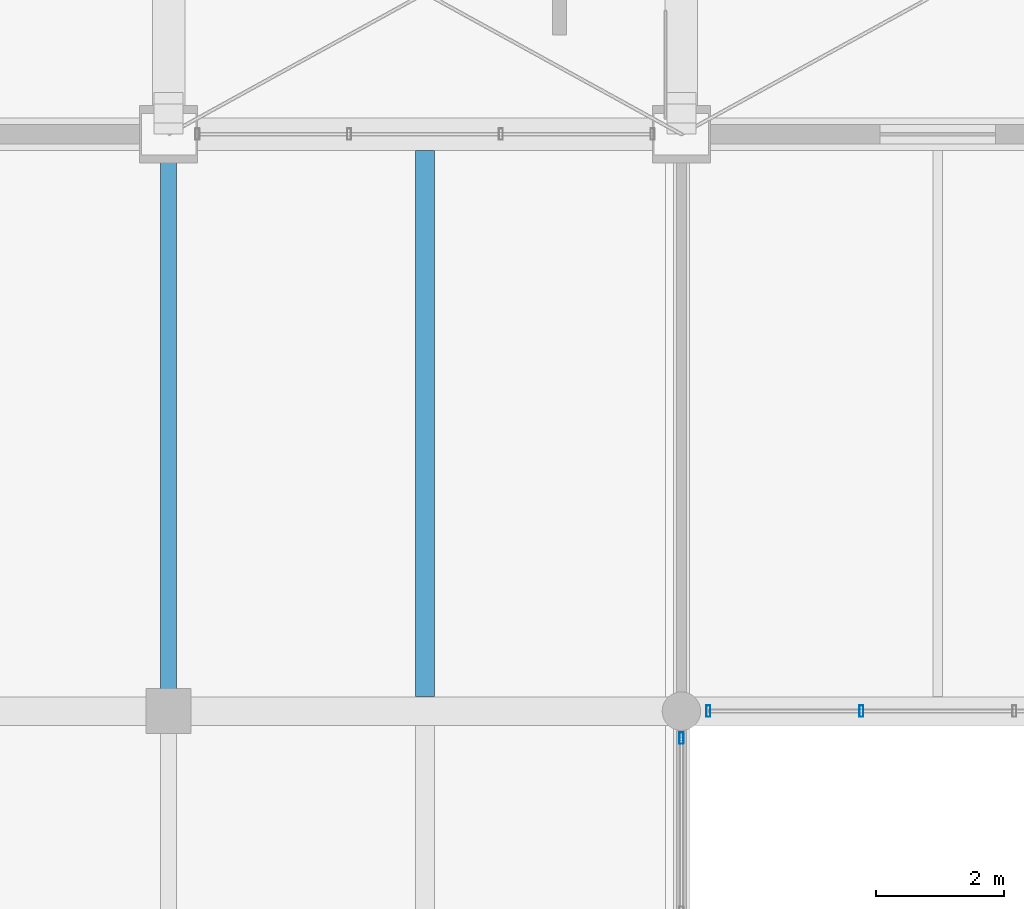
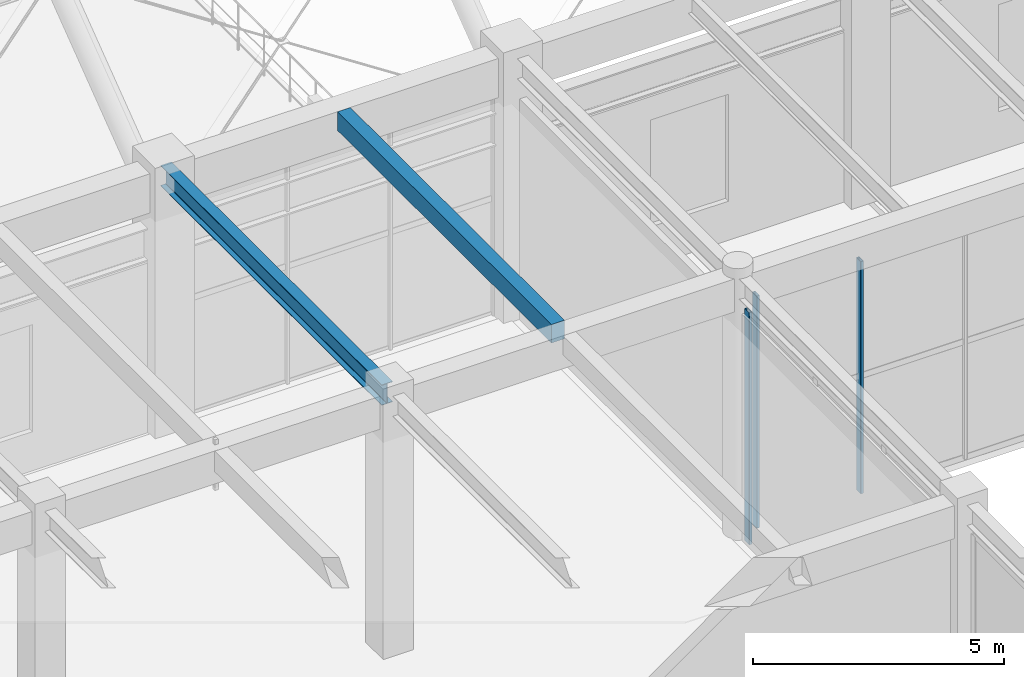
# One storey, part 35 of 163: 3 members, 2 beams, 2 elements without a shape of their own.
"""IFC4 building model written with IfcOpenShell, lengths in metres."""

from ifc_helpers import new_model, si_unit, direction, frame, origin, origin_2d, place, context, subcontext, project, spatial, rectangle, hollow_rectangle, i_section, extrude, material, material_profile, profile_set, type_object, element, aggregate, save


model = new_model("IFC4")

# Units and contexts
model_context = context("Model", 3, precision=1e-05, world=origin(), true_north=direction((0.0, 1.0)))
body_context = subcontext(model_context, "Body", "Model", "MODEL_VIEW")
ifc_project = project(units=[si_unit("LENGTHUNIT", "METRE"), si_unit("AREAUNIT", "SQUARE_METRE"), si_unit("VOLUMEUNIT", "CUBIC_METRE"), si_unit("PLANEANGLEUNIT", "RADIAN"), si_unit("MASSUNIT", "GRAM", prefix="KILO")], contexts=[model_context])

# Site, building, storey
site_placement = place(None, origin())
site = spatial("IfcSite", under=ifc_project, at=site_placement, CompositionType="ELEMENT")
building_placement = place(site_placement, origin())
building = spatial("IfcBuilding", under=site, at=building_placement, Name="Varnabhumi Central Station", CompositionType="ELEMENT")
storey_placement = place(building_placement, frame((0.0, 0.0, 9.60009765625)))
storey = spatial("IfcBuildingStorey", under=building, at=storey_placement, Name="L02", CompositionType="ELEMENT", Elevation=9.60009765625)

# Beams
ifc_material_1 = material(Name="Concrete M40", Category="concrete")
ifc_material_profile_1 = material_profile(ifc_material_1, rectangle(XDim=0.300048828125, YDim=0.449951171875, at=origin_2d()), Name="Concrete M40", Category="concrete")
ifc_profile_set_1 = profile_set([ifc_material_profile_1], Name="Concrete M40")
beam_type_1 = type_object("IfcBeamType", Name="BM-RC-300x450", PredefinedType="JOIST", material=ifc_profile_set_1)
beam_1_placement = place(storey_placement, frame((108.0, 27.22509765625, 6.125), z_axis=(0.0, 1.0, 0.0), x_axis=(-1.0, 0.0, 0.0)))
element("IfcBeam", 1, at=beam_1_placement, inside=storey, type_object=beam_type_1, Name="Secondary Joist L02-14/15:D-E", PredefinedType="JOIST", context=body_context, shape_type="SweptSolid", body=[
    extrude(rectangle(XDim=0.300048828125, YDim=0.449951171875, at=origin_2d()), origin(), (0.0, 0.0, 1.0), 8.52490234375),
])
ifc_material_2 = material(Name="Structural steel E350", Category="steel")
ifc_material_profile_2 = material_profile(ifc_material_2, i_section(OverallWidth=0.25, OverallDepth=0.5, WebThickness=0.010009765625, FlangeThickness=0.0146484375, FilletRadius=0.014892578125, at=origin_2d()), Name="Structural steel E350", Category="steel")
ifc_profile_set_2 = profile_set([ifc_material_profile_2], Name="Structural steel E350")
beam_type_2 = type_object("IfcBeamType", Name="BM-SEC-ISWB500", PredefinedType="BEAM", material=ifc_profile_set_2)
beam_2_placement = place(storey_placement, frame((104.0, 27.10009765625, 6.099853515625), z_axis=(0.0, 1.0, 0.0), x_axis=(-1.0, 0.0, 0.0)))
element("IfcBeam", 2, at=beam_2_placement, inside=storey, type_object=beam_type_2, Name="Beam L02-14:D-E", PredefinedType="BEAM", context=body_context, shape_type="SweptSolid", body=[
    extrude(i_section(OverallWidth=0.25, OverallDepth=0.5, WebThickness=0.010009765625, FlangeThickness=0.0146484375, FilletRadius=0.014892578125, at=origin_2d()), origin(), (0.0, 0.0, 1.0), 8.7998046875),
])

# Curtain wall, member
ifc_material_3 = material(Name="Anodised aluminium 6063-T6", Category="aluminium")
curtain_wall_type = type_object("IfcCurtainWallType", Name="CW-PATIO-LOGGIA-L2", PredefinedType="NOTDEFINED", material=ifc_material_3)
curtain_wall_1_placement = place(storey_placement, origin())
curtain_wall_1 = element("IfcCurtainWall", 3, at=curtain_wall_1_placement, inside=storey, type_object=curtain_wall_type, Name="Curtain Wall CW-SP2E2", PredefinedType="NOTDEFINED")
ifc_material_profile_3 = material_profile(ifc_material_3, hollow_rectangle(XDim=0.06494140625, YDim=0.179931640625, WallThickness=0.00390625, InnerFilletRadius=0.001953125, OuterFilletRadius=0.006103515625, at=origin_2d()), Name="Anodised aluminium 6063-T6", Category="aluminium")
ifc_profile_set_3 = profile_set([ifc_material_profile_3], Name="Anodised aluminium 6063-T6")
member_type = type_object("IfcMemberType", Name="CW-MUL-180", PredefinedType="MULLION", material=ifc_profile_set_3)
member_1_placement = place(storey_placement, frame((112.0, 26.580078125, 0.0), z_axis=(0.0, 0.0, 1.0), x_axis=(1.0, 0.0, 0.0)))
member_1 = element("IfcMember", 4, at=member_1_placement, type_object=member_type, Name="Curtain Wall Mullion CW-SP2E2-M4", PredefinedType="MULLION", context=body_context, shape_type="SweptSolid", body=[
    extrude(hollow_rectangle(XDim=0.06494140625, YDim=0.179931640625, WallThickness=0.00390625, InnerFilletRadius=0.001953125, OuterFilletRadius=0.006103515625, at=origin_2d()), origin(), (0.0, 0.0, 1.0), 5.639892578125),
])
aggregate(curtain_wall_1, [member_1])

# Curtain wall, members
curtain_wall_2_placement = place(storey_placement, origin())
curtain_wall_2 = element("IfcCurtainWall", 5, at=curtain_wall_2_placement, inside=storey, type_object=curtain_wall_type, Name="Curtain Wall CW-SP2N1", PredefinedType="NOTDEFINED")
member_2_placement = place(storey_placement, frame((112.419921875, 27.0, 0.0), z_axis=(0.0, 0.0, 1.0), x_axis=(1.0, 0.0, 0.0)))
member_2 = element("IfcMember", 6, at=member_2_placement, type_object=member_type, Name="Curtain Wall Mullion CW-SP2N1-M1", PredefinedType="MULLION", context=body_context, shape_type="SweptSolid", body=[
    extrude(hollow_rectangle(XDim=0.06494140625, YDim=0.179931640625, WallThickness=0.00390625, InnerFilletRadius=0.001953125, OuterFilletRadius=0.006103515625, at=origin_2d()), origin(), (0.0, 0.0, 1.0), 5.639892578125),
])
member_3_placement = place(storey_placement, frame((114.806640625, 27.0, 0.0), z_axis=(0.0, 0.0, 1.0), x_axis=(1.0, 0.0, 0.0)))
member_3 = element("IfcMember", 7, at=member_3_placement, type_object=member_type, Name="Curtain Wall Mullion CW-SP2N1-M2", PredefinedType="MULLION", context=body_context, shape_type="SweptSolid", body=[
    extrude(hollow_rectangle(XDim=0.06494140625, YDim=0.179931640625, WallThickness=0.00390625, InnerFilletRadius=0.001953125, OuterFilletRadius=0.006103515625, at=origin_2d()), origin(), (0.0, 0.0, 1.0), 5.639892578125),
])
aggregate(curtain_wall_2, [member_2, member_3])

save(model, "model.ifc")
